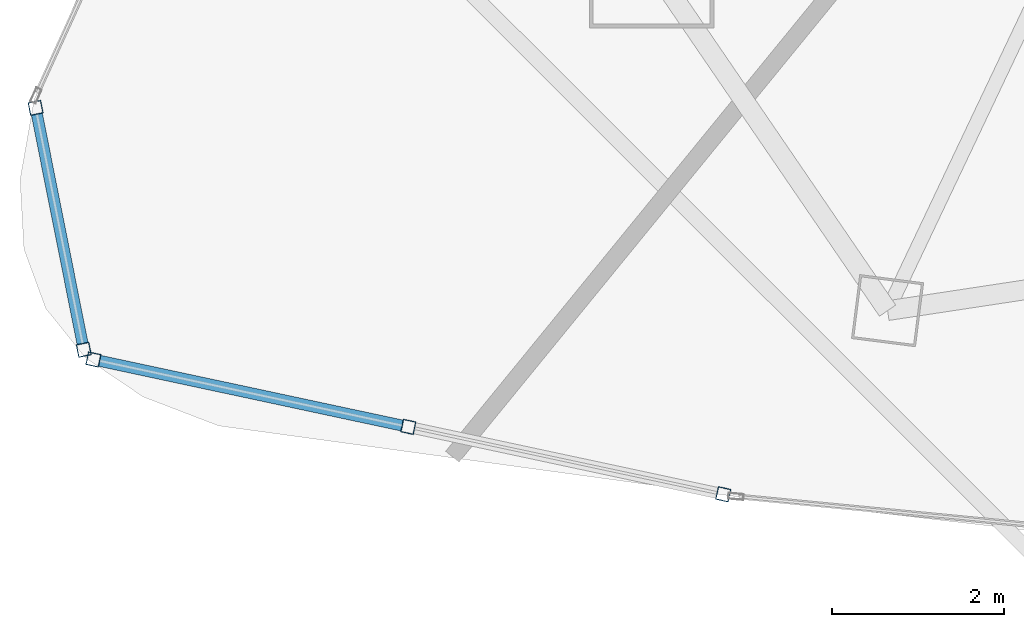
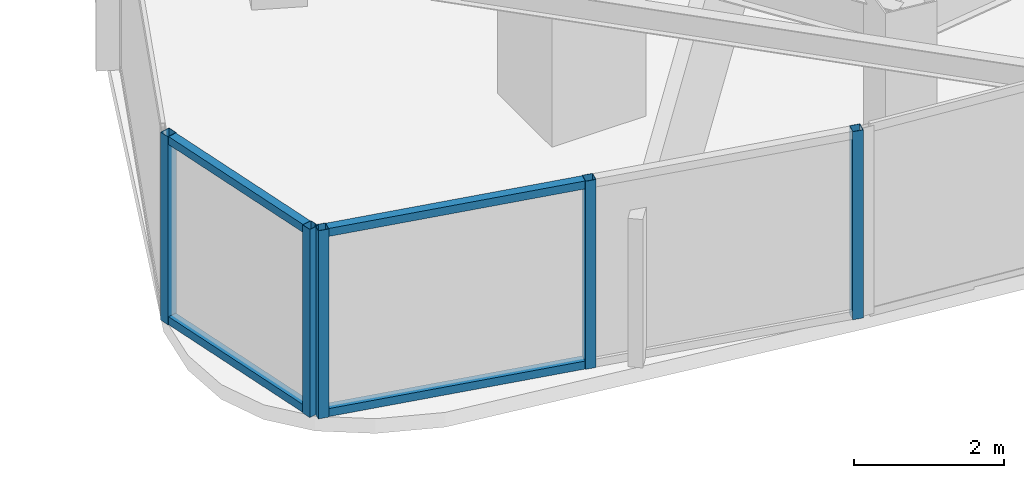
# One storey, part 2 of 33: 9 members, 2 elements without a shape of their own.
"""IFC4 building model written with IfcOpenShell, lengths in metres."""

from ifc_helpers import new_model, si_unit, direction, frame, origin, origin_2d, place, context, subcontext, project, spatial, hollow_rectangle, extrude, material, layer, layer_set, material_profile, profile_set, type_object, element, aggregate, save


model = new_model("IFC4")

# Units and contexts
model_context = context("Model", 3, precision=1e-05, world=origin(), true_north=direction((0.0, 1.0)))
body_context = subcontext(model_context, "Body", "Model", "MODEL_VIEW")
ifc_project = project(units=[si_unit("LENGTHUNIT", "METRE"), si_unit("AREAUNIT", "SQUARE_METRE"), si_unit("VOLUMEUNIT", "CUBIC_METRE"), si_unit("PLANEANGLEUNIT", "RADIAN"), si_unit("MASSUNIT", "GRAM", prefix="KILO")], contexts=[model_context])

# Site, building, storey
site_placement = place(None, origin())
site = spatial("IfcSite", under=ifc_project, at=site_placement, CompositionType="ELEMENT")
building_placement = place(site_placement, origin())
building = spatial("IfcBuilding", under=site, at=building_placement, Name="Orvanel Arch Residences", CompositionType="ELEMENT")
storey_placement = place(building_placement, frame((0.0, 0.0, 123.199951171875)))
storey = spatial("IfcBuildingStorey", under=building, at=storey_placement, Name="L34", CompositionType="ELEMENT", Elevation=123.199951171875)

# Curtain wall, members
ifc_material = material(Name="Bronze-anodised aluminium AA6063-T6", Category="aluminium")
ifc_layer = layer(ifc_material, 0.18994140625)
ifc_layer_set = layer_set([ifc_layer], Name="Bronze-anodised aluminium AA6063-T6")
curtain_wall_type = type_object("IfcCurtainWallType", Name="CW5-CRN-SYS", PredefinedType="NOTDEFINED", material=ifc_layer_set)
curtain_wall_1_placement = place(storey_placement, origin())
curtain_wall_1 = element("IfcCurtainWall", 1, at=curtain_wall_1_placement, inside=storey, type_object=curtain_wall_type, Name="L34 CW5-CRN-SYS Unitised Curtain Wall", PredefinedType="NOTDEFINED")
ifc_material_profile_1 = material_profile(ifc_material, hollow_rectangle(XDim=0.14990234375, YDim=0.14990234375, WallThickness=0.0048828125, at=origin_2d()), Name="ALU150x150x5")
ifc_profile_set_1 = profile_set([ifc_material_profile_1], Name="Bronze-anodised aluminium AA6063-T6")
member_type_1 = type_object("IfcMemberType", Name="MUL-150x150", PredefinedType="MULLION", material=ifc_profile_set_1)
member_1_placement = place(storey_placement, frame((7.03857421875, 8.695556640625, 0.0), z_axis=(0.0, 0.0, 1.0), x_axis=(0.98074610394, 0.195287172151, 0.0)))
member_1 = element("IfcMember", 2, at=member_1_placement, type_object=member_type_1, Name="CW-S5 mullion 1", PredefinedType="MULLION", context=body_context, shape_type="SweptSolid", body=[
    extrude(hollow_rectangle(XDim=0.14990234375, YDim=0.14990234375, WallThickness=0.0048828125, at=origin_2d()), origin(), (0.0, 0.0, 1.0), 3.06005859375),
])
member_2_placement = place(storey_placement, frame((7.598388671875, 5.884521484375, 0.0), z_axis=(0.0, 0.0, 1.0), x_axis=(0.98074610394, 0.195287172151, 0.0)))
member_2 = element("IfcMember", 3, at=member_2_placement, type_object=member_type_1, Name="CW-S5 mullion 2", PredefinedType="MULLION", context=body_context, shape_type="SweptSolid", body=[
    extrude(hollow_rectangle(XDim=0.14990234375, YDim=0.14990234375, WallThickness=0.0048828125, at=origin_2d()), origin(), (0.0, 0.0, 1.0), 3.06005859375),
])

curtain_wall_2_placement = place(storey_placement, origin())
curtain_wall_2 = element("IfcCurtainWall", 4, at=curtain_wall_2_placement, inside=storey, type_object=curtain_wall_type, Name="L34 CW5-CRN-SYS Unitised Curtain Wall", PredefinedType="NOTDEFINED")
member_3_placement = place(storey_placement, frame((7.71044921875, 5.771240234375, 0.0), z_axis=(0.0, 0.0, 1.0), x_axis=(0.20926972208, 0.977857956669, 0.0)))
member_3 = element("IfcMember", 5, at=member_3_placement, type_object=member_type_1, Name="CW-S5 mullion 1", PredefinedType="MULLION", context=body_context, shape_type="SweptSolid", body=[
    extrude(hollow_rectangle(XDim=0.14990234375, YDim=0.14990234375, WallThickness=0.0048828125, at=origin_2d()), origin(), (0.0, 0.0, 1.0), 3.06005859375),
])
member_4_placement = place(storey_placement, frame((11.37060546875, 4.988037109375, 0.0), z_axis=(0.0, 0.0, 1.0), x_axis=(0.20926972208, 0.977857956669, 0.0)))
member_4 = element("IfcMember", 6, at=member_4_placement, type_object=member_type_1, Name="CW-S5 mullion 2", PredefinedType="MULLION", context=body_context, shape_type="SweptSolid", body=[
    extrude(hollow_rectangle(XDim=0.14990234375, YDim=0.14990234375, WallThickness=0.0048828125, at=origin_2d()), origin(), (0.0, 0.0, 1.0), 3.06005859375),
])
member_5_placement = place(storey_placement, frame((15.03076171875, 4.20458984375, 0.0), z_axis=(0.0, 0.0, 1.0), x_axis=(0.20926972208, 0.977857956669, 0.0)))
member_5 = element("IfcMember", 7, at=member_5_placement, type_object=member_type_1, Name="CW-S5 mullion 3", PredefinedType="MULLION", context=body_context, shape_type="SweptSolid", body=[
    extrude(hollow_rectangle(XDim=0.14990234375, YDim=0.14990234375, WallThickness=0.0048828125, at=origin_2d()), origin(), (0.0, 0.0, 1.0), 3.06005859375),
])

# Member
ifc_material_profile_2 = material_profile(ifc_material, hollow_rectangle(XDim=0.1298828125, YDim=0.1298828125, WallThickness=0.00439453125, at=origin_2d()), Name="ALU130x130x4.5")
ifc_profile_set_2 = profile_set([ifc_material_profile_2], Name="Bronze-anodised aluminium AA6063-T6")
member_type_2 = type_object("IfcMemberType", Name="TRN-130x130", PredefinedType="USERDEFINED", material=ifc_profile_set_2)
member_6_placement = place(storey_placement, frame((7.05322265625, 8.621826171875, 0.06494140625), z_axis=(0.195320930761, -0.980739381287, 0.0), x_axis=(0.980739381287, 0.195320930761, 0.0)))
member_6 = element("IfcMember", 8, at=member_6_placement, type_object=member_type_2, Name="CW-S5 transom 1.1", ObjectType="TRANSOM", PredefinedType="USERDEFINED", context=body_context, shape_type="SweptSolid", body=[
    extrude(hollow_rectangle(XDim=0.1298828125, YDim=0.1298828125, WallThickness=0.00439453125, at=origin_2d()), origin(), (0.0, 0.0, 1.0), 2.716064453125),
])

member_7_placement = place(storey_placement, frame((7.05322265625, 8.621826171875, 2.9951171875), z_axis=(0.195320930761, -0.980739381287, 0.0), x_axis=(0.980739381287, 0.195320930761, 0.0)))
member_7 = element("IfcMember", 9, at=member_7_placement, type_object=member_type_2, Name="CW-S5 transom 1.2", ObjectType="TRANSOM", PredefinedType="USERDEFINED", context=body_context, shape_type="SweptSolid", body=[
    extrude(hollow_rectangle(XDim=0.1298828125, YDim=0.1298828125, WallThickness=0.00439453125, at=origin_2d()), origin(), (0.0, 0.0, 1.0), 2.716064453125),
])

aggregate(curtain_wall_1, [member_1, member_2, member_6, member_7])

member_8_placement = place(storey_placement, frame((7.78369140625, 5.755615234375, 0.06494140625), z_axis=(0.97785508511, -0.209283139611, 0.0), x_axis=(0.209283139611, 0.97785508511, 0.0)))
member_8 = element("IfcMember", 10, at=member_8_placement, type_object=member_type_2, Name="CW-S5 transom 1.1", ObjectType="TRANSOM", PredefinedType="USERDEFINED", context=body_context, shape_type="SweptSolid", body=[
    extrude(hollow_rectangle(XDim=0.1298828125, YDim=0.1298828125, WallThickness=0.00439453125, at=origin_2d()), origin(), (0.0, 0.0, 1.0), 3.593017578125),
])

member_9_placement = place(storey_placement, frame((7.78369140625, 5.755615234375, 2.9951171875), z_axis=(0.97785508511, -0.209283139611, 0.0), x_axis=(0.209283139611, 0.97785508511, 0.0)))
member_9 = element("IfcMember", 11, at=member_9_placement, type_object=member_type_2, Name="CW-S5 transom 1.2", ObjectType="TRANSOM", PredefinedType="USERDEFINED", context=body_context, shape_type="SweptSolid", body=[
    extrude(hollow_rectangle(XDim=0.1298828125, YDim=0.1298828125, WallThickness=0.00439453125, at=origin_2d()), origin(), (0.0, 0.0, 1.0), 3.593017578125),
])

aggregate(curtain_wall_2, [member_3, member_4, member_5, member_8, member_9])

save(model, "model.ifc")
